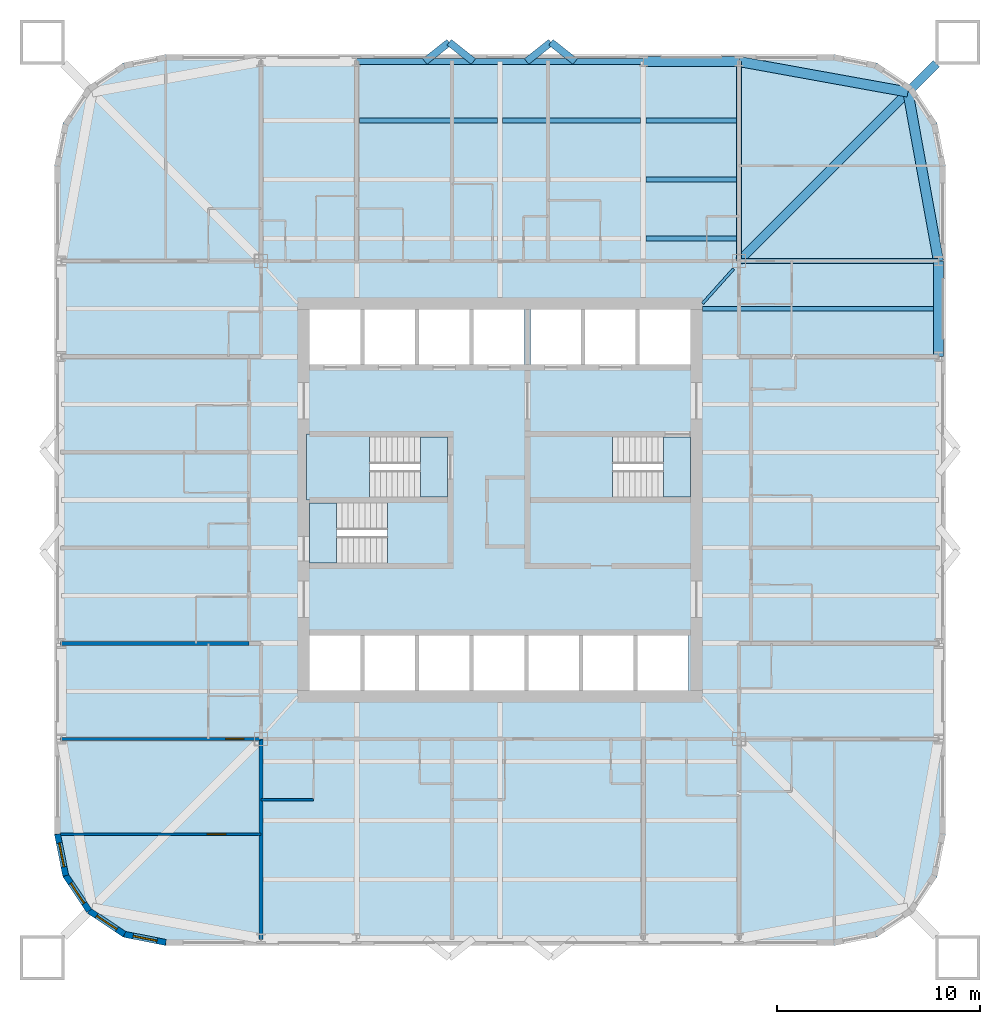
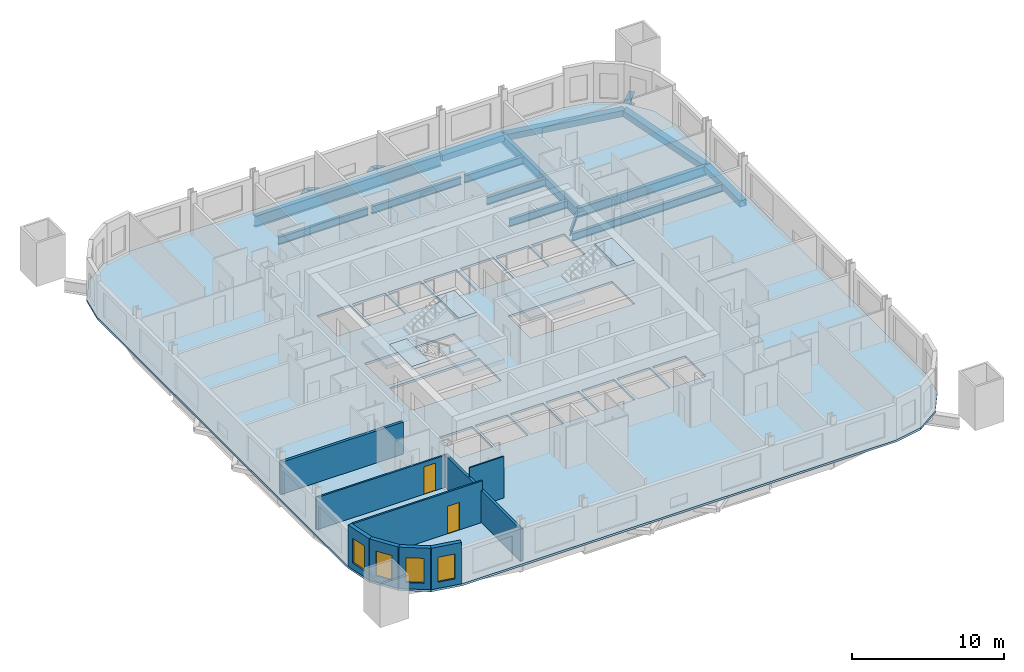
# One storey, part 2 of 10: 19 beams, 9 walls, 7 slabs, 4 windows, 2 doors, 6 openings, 3 elements without a shape of their own.
"""IFC4 building model written with IfcOpenShell, lengths in metres."""

from ifc_helpers import new_model, si_unit, direction, frame, frame_2d, origin, origin_2d, place, context, subcontext, project, spatial, polyline, rectangle, hollow_rectangle, i_section, outline, extrude, material, layer, layer_set, material_profile, profile_set, type_object, element, fill, aggregate, save


model = new_model("IFC4")

# Units and contexts
model_context = context("Model", 3, precision=1e-05, world=origin(), true_north=direction((0.0, 1.0)))
body_context = subcontext(model_context, "Body", "Model", "MODEL_VIEW")
ifc_project = project(units=[si_unit("LENGTHUNIT", "METRE"), si_unit("AREAUNIT", "SQUARE_METRE"), si_unit("VOLUMEUNIT", "CUBIC_METRE"), si_unit("PLANEANGLEUNIT", "RADIAN"), si_unit("MASSUNIT", "GRAM", prefix="KILO")], contexts=[model_context])

# Site, building, storey
site_placement = place(None, origin())
site = spatial("IfcSite", under=ifc_project, at=site_placement, CompositionType="ELEMENT")
building_placement = place(site_placement, origin())
building = spatial("IfcBuilding", under=site, at=building_placement, Name="Turquesa Mirador Hotel Tower", CompositionType="ELEMENT")
storey_placement = place(building_placement, frame((0.0, 0.0, 53.0)))
storey = spatial("IfcBuildingStorey", under=building, at=storey_placement, Name="L13", CompositionType="ELEMENT", Elevation=53.0)

# Beams
ifc_material_1 = material(Name="Steel ASTM A572 Grade 50", Category="steel")
ifc_material_profile_1 = material_profile(ifc_material_1, hollow_rectangle(XDim=0.5, YDim=0.5, WallThickness=0.01611328125, at=origin_2d()), Name="BOX500X500X16")
ifc_profile_set_1 = profile_set([ifc_material_profile_1], Name="Steel ASTM A572 Grade 50")
beam_type_1 = type_object("IfcBeamType", Name="BEAM BOX500X500X16", PredefinedType="BEAM", material=ifc_profile_set_1)
for number, where, z_axis, x_axis, name in (
    (1, (62.080078125, 66.64990234375, -0.419921875), (1.0, 0.0, 0.0), (0.0, 1.0, 0.0), "EB-L13-N-R"),
    (2, (76.64990234375, 52.080078125, -0.419921875), (0.0, 1.0, 0.0), (-1.0, 0.0, 0.0), "EB-L13-E-R"),
):
    element("IfcBeam", number, at=place(storey_placement, frame(where, z_axis=z_axis, x_axis=x_axis)), inside=storey, type_object=beam_type_1, Name=name, PredefinedType="BEAM", context=body_context, shape_type="SweptSolid", body=[
        extrude(hollow_rectangle(XDim=0.5, YDim=0.5, WallThickness=0.01611328125, at=origin_2d()), origin(), (0.0, 0.0, 1.0), 4.719970703125),
    ])
for number, where, z_axis, x_axis, name in (
    (3, (76.64990234375, 56.800048828125, -0.419921875), (-0.177932387818, 0.984042715214, 0.0), (-0.984042715214, -0.177932387818, 0.0), "KE-L13-1-0"),
    (4, (75.1416015625, 65.1416015625, -0.419921875), (-0.984042715214, 0.177932387818, 0.0), (-0.177932387818, -0.984042715214, 0.0), "KE-L13-1-1"),
):
    element("IfcBeam", number, at=place(storey_placement, frame(where, z_axis=z_axis, x_axis=x_axis)), inside=storey, type_object=beam_type_1, Name=name, PredefinedType="BEAM", context=body_context, shape_type="SweptSolid", body=[
        extrude(hollow_rectangle(XDim=0.5, YDim=0.5, WallThickness=0.01611328125, at=origin_2d()), origin(), (0.0, 0.0, 1.0), 8.476806640625),
    ])
ifc_material_2 = material(Name="Steel ASTM A992 Grade 50", Category="steel")
ifc_material_profile_2 = material_profile(ifc_material_2, i_section(OverallWidth=0.140380859375, OverallDepth=0.40380859375, WebThickness=0.007080078125, FlangeThickness=0.01123046875, at=origin_2d()), Name="W16X31")
ifc_profile_set_2 = profile_set([ifc_material_profile_2], Name="Steel ASTM A992 Grade 50")
beam_type_2 = type_object("IfcBeamType", Name="BEAM W16X31", PredefinedType="BEAM", material=ifc_profile_set_2)
beam_1_placement = place(storey_placement, frame((66.529541015625, 56.40966796875, -0.371826171875), z_axis=(-0.666745084392, -0.745285846129, 0.0), x_axis=(0.745285846129, -0.666745084392, 0.0)))
element("IfcBeam", 5, at=beam_1_placement, inside=storey, type_object=beam_type_2, Name="KT-L13-1", PredefinedType="BEAM", context=body_context, shape_type="SweptSolid", body=[
    extrude(i_section(OverallWidth=0.140380859375, OverallDepth=0.40380859375, WebThickness=0.007080078125, FlangeThickness=0.01123046875, at=origin_2d()), origin(), (0.0, 0.0, 1.0), 2.2939453125),
])
ifc_material_3 = material(Name="Steel ASTM A992 Grade 50", Category="steel")
ifc_material_profile_3 = material_profile(ifc_material_3, i_section(OverallWidth=0.228271484375, OverallDepth=0.607177734375, WebThickness=0.01123046875, FlangeThickness=0.017333984375, at=origin_2d()), Name="W24X76")
ifc_profile_set_3 = profile_set([ifc_material_profile_3], Name="Steel ASTM A992 Grade 50")
beam_type_3 = type_object("IfcBeamType", Name="BEAM W24X76", PredefinedType="BEAM", material=ifc_profile_set_3)
for number, where, z_axis, x_axis, name in (
    (6, (62.21337890625, 57.912109375, -0.4736328125), (1.0, 0.0, 0.0), (0.0, 1.0, 0.0), "IB-L13-N-1-3"),
    (7, (62.21337890625, 60.824951171875, -0.4736328125), (1.0, 0.0, 0.0), (0.0, 1.0, 0.0), "IB-L13-N-2-3"),
):
    element("IfcBeam", number, at=place(storey_placement, frame(where, z_axis=z_axis, x_axis=x_axis)), inside=storey, type_object=beam_type_3, Name=name, PredefinedType="BEAM", context=body_context, shape_type="SweptSolid", body=[
        extrude(i_section(OverallWidth=0.228271484375, OverallDepth=0.607177734375, WebThickness=0.01123046875, FlangeThickness=0.017333984375, at=origin_2d()), origin(), (0.0, 0.0, 1.0), 4.453369140625),
    ])
for number, where, z_axis, x_axis, name in (
    (8, (48.053466796875, 63.737060546875, -0.4736328125), (1.0, 0.0, 0.0), (0.0, 1.0, 0.0), "IB-L13-N-3-1"),
    (9, (55.13330078125, 63.737060546875, -0.4736328125), (1.0, 0.0, 0.0), (0.0, 1.0, 0.0), "IB-L13-N-3-2"),
):
    element("IfcBeam", number, at=place(storey_placement, frame(where, z_axis=z_axis, x_axis=x_axis)), inside=storey, type_object=beam_type_3, Name=name, PredefinedType="BEAM", context=body_context, shape_type="SweptSolid", body=[
        extrude(i_section(OverallWidth=0.228271484375, OverallDepth=0.607177734375, WebThickness=0.01123046875, FlangeThickness=0.017333984375, at=origin_2d()), origin(), (0.0, 0.0, 1.0), 6.813232421875),
    ])
beam_2_placement = place(storey_placement, frame((62.21337890625, 63.737060546875, -0.4736328125), z_axis=(1.0, 0.0, 0.0), x_axis=(0.0, 1.0, 0.0)))
element("IfcBeam", 10, at=beam_2_placement, inside=storey, type_object=beam_type_3, Name="IB-L13-N-3-3", PredefinedType="BEAM", context=body_context, shape_type="SweptSolid", body=[
    extrude(i_section(OverallWidth=0.228271484375, OverallDepth=0.607177734375, WebThickness=0.01123046875, FlangeThickness=0.017333984375, at=origin_2d()), origin(), (0.0, 0.0, 1.0), 4.453369140625),
])
beam_3_placement = place(storey_placement, frame((76.64990234375, 54.43994140625, -0.4736328125), z_axis=(-1.0, 0.0, 0.0), x_axis=(0.0, -1.0, 0.0)))
element("IfcBeam", 11, at=beam_3_placement, inside=storey, type_object=beam_type_3, Name="BM-L13-E-+9.44", PredefinedType="BEAM", context=body_context, shape_type="SweptSolid", body=[
    extrude(i_section(OverallWidth=0.228271484375, OverallDepth=0.607177734375, WebThickness=0.01123046875, FlangeThickness=0.017333984375, at=origin_2d()), origin(), (0.0, 0.0, 1.0), 11.64990234375),
])
ifc_material_4 = material(Name="Steel ASTM A992 Grade 50", Category="steel")
ifc_material_profile_4 = material_profile(ifc_material_4, i_section(OverallWidth=0.2666015625, OverallDepth=0.7568359375, WebThickness=0.013916015625, FlangeThickness=0.019287109375, at=origin_2d()), Name="W30X108")
ifc_profile_set_4 = profile_set([ifc_material_profile_4], Name="Steel ASTM A992 Grade 50")
beam_type_4 = type_object("IfcBeamType", Name="BEAM W30X108", PredefinedType="BEAM", material=ifc_profile_set_4)
for number, where, z_axis, x_axis, name in (
    (12, (66.800048828125, 66.64990234375, -0.54833984375), (0.0, -1.0, 0.0), (1.0, 0.0, 0.0), "GK-L13-N-+11.80"),
    (13, (76.64990234375, 56.800048828125, -0.54833984375), (-1.0, 0.0, 0.0), (0.0, -1.0, 0.0), "GK-L13-E-+11.80"),
):
    element("IfcBeam", number, at=place(storey_placement, frame(where, z_axis=z_axis, x_axis=x_axis)), inside=storey, type_object=beam_type_4, Name=name, PredefinedType="BEAM", context=body_context, shape_type="SweptSolid", body=[
        extrude(i_section(OverallWidth=0.2666015625, OverallDepth=0.7568359375, WebThickness=0.013916015625, FlangeThickness=0.019287109375, at=origin_2d()), origin(), (0.0, 0.0, 1.0), 9.849853515625),
    ])
ifc_material_5 = material(Name="Steel ASTM A992 Grade 50", Category="steel")
ifc_material_profile_5 = material_profile(ifc_material_5, i_section(OverallWidth=0.3046875, OverallDepth=0.911865234375, WebThickness=0.015869140625, FlangeThickness=0.02392578125, at=origin_2d()), Name="W36X150")
ifc_profile_set_5 = profile_set([ifc_material_profile_5], Name="Steel ASTM A992 Grade 50")
beam_type_5 = type_object("IfcBeamType", Name="BEAM W36X150", PredefinedType="BEAM", material=ifc_profile_set_5)
beam_4_placement = place(storey_placement, frame((47.919921875, 66.64990234375, -0.6259765625), z_axis=(1.0, 0.0, 0.0), x_axis=(0.0, 1.0, 0.0)))
element("IfcBeam", 14, at=beam_4_placement, inside=storey, type_object=beam_type_5, Name="EB-L13-N-C", PredefinedType="BEAM", context=body_context, shape_type="SweptSolid", body=[
    extrude(i_section(OverallWidth=0.3046875, OverallDepth=0.911865234375, WebThickness=0.015869140625, FlangeThickness=0.02392578125, at=origin_2d()), origin(), (0.0, 0.0, 1.0), 14.16015625),
])
ifc_material_6 = material(Name="Steel ASTM A992 Grade 50", Category="steel")
ifc_material_profile_6 = material_profile(ifc_material_6, i_section(OverallWidth=0.419189453125, OverallDepth=0.927001953125, WebThickness=0.019287109375, FlangeThickness=0.031982421875, at=origin_2d()), Name="W36X231")
ifc_profile_set_6 = profile_set([ifc_material_profile_6], Name="Steel ASTM A992 Grade 50")
beam_type_6 = type_object("IfcBeamType", Name="BEAM W36X231", PredefinedType="BEAM", material=ifc_profile_set_6)
beam_5_placement = place(storey_placement, frame((66.800048828125, 56.800048828125, -0.633544921875), z_axis=(0.707106781187, 0.707106781187, 0.0), x_axis=(-0.707106781187, 0.707106781187, 0.0)))
element("IfcBeam", 15, at=beam_5_placement, inside=storey, type_object=beam_type_6, Name="KD-L13-1", PredefinedType="BEAM", context=body_context, shape_type="SweptSolid", body=[
    extrude(i_section(OverallWidth=0.419189453125, OverallDepth=0.927001953125, WebThickness=0.019287109375, FlangeThickness=0.031982421875, at=origin_2d()), origin(), (0.0, 0.0, 1.0), 13.78857421875),
])
ifc_material_7 = material(Name="Steel ASTM A500 Grade C", Category="steel")
ifc_material_profile_7 = material_profile(ifc_material_7, hollow_rectangle(XDim=0.355712890625, YDim=0.355712890625, WallThickness=0.0146484375, at=origin_2d()), Name="HSS14X14X5/8")
ifc_profile_set_7 = profile_set([ifc_material_profile_7], Name="Steel ASTM A500 Grade C")
beam_type_7 = type_object("IfcBeamType", Name="BRACE STRUT HSS14X14X5/8", PredefinedType="BEAM", material=ifc_profile_set_7)
beam_6_placement = place(storey_placement, frame((52.48876953125, 67.60009765625, -0.347900390625), z_axis=(-0.783971428146, -0.620796907089, 0.0), x_axis=(0.620796907089, -0.783971428146, 0.0)))
element("IfcBeam", 16, at=beam_6_placement, inside=storey, type_object=beam_type_7, Name="Brace strut", PredefinedType="BEAM", context=body_context, shape_type="SweptSolid", body=[
    extrude(hollow_rectangle(XDim=0.355712890625, YDim=0.355712890625, WallThickness=0.0146484375, at=origin_2d()), origin(), (0.0, 0.0, 1.0), 1.530517578125),
])
for number, where, z_axis, x_axis, name in (
    (17, (52.48876953125, 67.60009765625, -0.347900390625), (0.784032888399, -0.620719284306, 0.0), (0.620719284306, 0.784032888399, 0.0), "Brace strut"),
    (18, (57.51123046875, 67.60009765625, -0.347900390625), (-0.784032888399, -0.620719284306, 0.0), (0.620719284306, -0.784032888399, 0.0), "Brace strut"),
):
    element("IfcBeam", number, at=place(storey_placement, frame(where, z_axis=z_axis, x_axis=x_axis)), inside=storey, type_object=beam_type_7, Name=name, PredefinedType="BEAM", context=body_context, shape_type="SweptSolid", body=[
        extrude(hollow_rectangle(XDim=0.355712890625, YDim=0.355712890625, WallThickness=0.0146484375, at=origin_2d()), origin(), (0.0, 0.0, 1.0), 1.53076171875),
    ])
beam_7_placement = place(storey_placement, frame((57.51123046875, 67.60009765625, -0.347900390625), z_axis=(0.783971428146, -0.620796907089, 0.0), x_axis=(0.620796907089, 0.783971428146, 0.0)))
element("IfcBeam", 19, at=beam_7_placement, inside=storey, type_object=beam_type_7, Name="Brace strut", PredefinedType="BEAM", context=body_context, shape_type="SweptSolid", body=[
    extrude(hollow_rectangle(XDim=0.355712890625, YDim=0.355712890625, WallThickness=0.0146484375, at=origin_2d()), origin(), (0.0, 0.0, 1.0), 1.530517578125),
])

# Slab
ifc_material_8 = material(Name="Concrete C28/35", Category="concrete")
ifc_layer_1 = layer(ifc_material_8, 0.169921875)
ifc_layer_set_1 = layer_set([ifc_layer_1], Name="COMPOSITE FLOOR SLAB 170")
slab_type_1 = type_object("IfcSlabType", Name="COMPOSITE FLOOR SLAB 170", PredefinedType="FLOOR", material=ifc_layer_set_1)
slab_1_placement = place(storey_placement, frame((0.0, 0.0, -0.169921875)))
element("IfcSlab", 20, at=slab_1_placement, inside=storey, type_object=slab_type_1, Name="Floor slab L13", PredefinedType="FLOOR", context=body_context, shape_type="SweptSolid", body=[
    extrude(outline(polyline([(71.5, 23.0), (73.604736328125, 23.418701171875), (75.38916015625, 24.61083984375), (76.581298828125, 26.395263671875), (77.0, 28.5), (77.0, 61.5), (76.581298828125, 63.604736328125), (75.38916015625, 65.38916015625), (73.604736328125, 66.581298828125), (71.5, 67.0), (38.5, 67.0), (36.395263671875, 66.581298828125), (34.61083984375, 65.38916015625), (33.418701171875, 63.604736328125), (33.0, 61.5), (33.0, 28.5), (33.418701171875, 26.395263671875), (34.61083984375, 24.61083984375), (36.395263671875, 23.418701171875), (38.5, 23.0), (71.5, 23.0)]), holes=[polyline([(45.60009765625, 51.699951171875), (48.10009765625, 51.699951171875), (48.10009765625, 54.39990234375), (45.60009765625, 54.39990234375), (45.60009765625, 51.699951171875)]), polyline([(48.300048828125, 51.699951171875), (50.800048828125, 51.699951171875), (50.800048828125, 54.39990234375), (48.300048828125, 54.39990234375), (48.300048828125, 51.699951171875)]), polyline([(51.0, 51.699951171875), (53.5, 51.699951171875), (53.5, 54.39990234375), (51.0, 54.39990234375), (51.0, 51.699951171875)]), polyline([(53.699951171875, 51.699951171875), (56.199951171875, 51.699951171875), (56.199951171875, 54.39990234375), (53.699951171875, 54.39990234375), (53.699951171875, 51.699951171875)]), polyline([(56.5, 51.699951171875), (59.0, 51.699951171875), (59.0, 54.39990234375), (56.5, 54.39990234375), (56.5, 51.699951171875)]), polyline([(59.199951171875, 51.699951171875), (61.699951171875, 51.699951171875), (61.699951171875, 54.39990234375), (59.199951171875, 54.39990234375), (59.199951171875, 51.699951171875)]), polyline([(45.60009765625, 35.60009765625), (48.10009765625, 35.60009765625), (48.10009765625, 38.300048828125), (45.60009765625, 38.300048828125), (45.60009765625, 35.60009765625)]), polyline([(48.300048828125, 35.60009765625), (50.800048828125, 35.60009765625), (50.800048828125, 38.300048828125), (48.300048828125, 38.300048828125), (48.300048828125, 35.60009765625)]), polyline([(51.0, 35.60009765625), (53.5, 35.60009765625), (53.5, 38.300048828125), (51.0, 38.300048828125), (51.0, 35.60009765625)]), polyline([(53.699951171875, 35.60009765625), (56.199951171875, 35.60009765625), (56.199951171875, 38.300048828125), (53.699951171875, 38.300048828125), (53.699951171875, 35.60009765625)]), polyline([(56.39990234375, 35.60009765625), (58.89990234375, 35.60009765625), (58.89990234375, 38.300048828125), (56.39990234375, 38.300048828125), (56.39990234375, 35.60009765625)]), polyline([(59.10009765625, 35.60009765625), (61.60009765625, 35.60009765625), (61.60009765625, 38.300048828125), (59.10009765625, 38.300048828125), (59.10009765625, 35.60009765625)]), polyline([(61.800048828125, 35.60009765625), (64.300048828125, 35.60009765625), (64.300048828125, 38.300048828125), (61.800048828125, 38.300048828125), (61.800048828125, 35.60009765625)]), polyline([(45.60009765625, 45.14990234375), (52.39990234375, 45.14990234375), (52.39990234375, 48.10009765625), (45.60009765625, 48.10009765625), (45.60009765625, 45.14990234375)]), polyline([(45.60009765625, 41.89990234375), (52.39990234375, 41.89990234375), (52.39990234375, 44.85009765625), (45.60009765625, 44.85009765625), (45.60009765625, 41.89990234375)]), polyline([(56.5, 45.14990234375), (64.39990234375, 45.14990234375), (64.39990234375, 48.10009765625), (56.5, 48.10009765625), (56.5, 45.14990234375)]), polyline([(61.89990234375, 51.699951171875), (64.39990234375, 51.699951171875), (64.39990234375, 54.39990234375), (61.89990234375, 54.39990234375), (61.89990234375, 51.699951171875)])]), origin(), (0.0, 0.0, 1.0), 0.169921875),
])

# Stair, slabs
ifc_material_9 = material(Name="Concrete C35/45", Category="concrete")
stair_type = type_object("IfcStairType", Name="ESCAPE STAIR CORE", PredefinedType="HALF_TURN_STAIR", material=ifc_material_9)
stair_1_placement = place(storey_placement, origin())
stair_1 = element("IfcStair", 21, at=stair_1_placement, inside=storey, type_object=stair_type, Name="Stair ST1 L13 to L14", PredefinedType="HALF_TURN_STAIR")
ifc_material_10 = material(Name="Concrete C35/45", Category="concrete")
ifc_layer_2 = layer(ifc_material_10, 0.300048828125)
ifc_layer_set_2 = layer_set([ifc_layer_2], Name="STAIR LANDING 300")
slab_type_2 = type_object("IfcSlabType", Name="STAIR LANDING 300", PredefinedType="LANDING", material=ifc_layer_set_2)
slab_2_placement = place(storey_placement, frame((0.0, 0.0, 1.449951171875)))
slab_2 = element("IfcSlab", 22, at=slab_2_placement, type_object=slab_type_2, Name="ST1 landing 1", PredefinedType="LANDING", context=body_context, shape_type="SweptSolid", body=[
    extrude(outline(polyline([(45.449951171875, 45.0), (48.550048828125, 45.0), (48.550048828125, 48.25), (45.449951171875, 48.25), (45.449951171875, 45.0)])), origin(), (0.0, 0.0, 1.0), 0.300048828125),
])
slab_3_placement = place(storey_placement, frame((0.0, 0.0, 3.199951171875)))
slab_3 = element("IfcSlab", 23, at=slab_3_placement, type_object=slab_type_2, Name="ST1 landing 2", PredefinedType="LANDING", context=body_context, shape_type="SweptSolid", body=[
    extrude(outline(polyline([(51.070068359375, 45.14990234375), (52.39990234375, 45.14990234375), (52.39990234375, 48.10009765625), (51.070068359375, 48.10009765625), (51.070068359375, 45.14990234375)])), origin(), (0.0, 0.0, 1.0), 0.300048828125),
])
aggregate(stair_1, [slab_2, slab_3])

stair_2_placement = place(storey_placement, origin())
stair_2 = element("IfcStair", 24, at=stair_2_placement, inside=storey, type_object=stair_type, Name="Stair ST2 L13 to L14", PredefinedType="HALF_TURN_STAIR")
slab_4_placement = place(storey_placement, frame((0.0, 0.0, 1.449951171875)))
slab_4 = element("IfcSlab", 25, at=slab_4_placement, type_object=slab_type_2, Name="ST2 landing 1", PredefinedType="LANDING", context=body_context, shape_type="SweptSolid", body=[
    extrude(outline(polyline([(52.550048828125, 45.0), (49.449951171875, 45.0), (49.449951171875, 41.75), (52.550048828125, 41.75), (52.550048828125, 45.0)])), origin(), (0.0, 0.0, 1.0), 0.300048828125),
])
slab_5_placement = place(storey_placement, frame((0.0, 0.0, 3.199951171875)))
slab_5 = element("IfcSlab", 26, at=slab_5_placement, type_object=slab_type_2, Name="ST2 landing 2", PredefinedType="LANDING", context=body_context, shape_type="SweptSolid", body=[
    extrude(outline(polyline([(46.929931640625, 44.85009765625), (45.60009765625, 44.85009765625), (45.60009765625, 41.89990234375), (46.929931640625, 41.89990234375), (46.929931640625, 44.85009765625)])), origin(), (0.0, 0.0, 1.0), 0.300048828125),
])
aggregate(stair_2, [slab_4, slab_5])

stair_3_placement = place(storey_placement, origin())
stair_3 = element("IfcStair", 27, at=stair_3_placement, inside=storey, type_object=stair_type, Name="Stair ST3 L13 to L14", PredefinedType="HALF_TURN_STAIR")
slab_6_placement = place(storey_placement, frame((0.0, 0.0, 1.449951171875)))
slab_6 = element("IfcSlab", 28, at=slab_6_placement, type_object=slab_type_2, Name="ST3 landing 1", PredefinedType="LANDING", context=body_context, shape_type="SweptSolid", body=[
    extrude(outline(polyline([(56.35009765625, 45.0), (60.550048828125, 45.0), (60.550048828125, 48.25), (56.35009765625, 48.25), (56.35009765625, 45.0)])), origin(), (0.0, 0.0, 1.0), 0.300048828125),
])
slab_7_placement = place(storey_placement, frame((0.0, 0.0, 3.199951171875)))
slab_7 = element("IfcSlab", 29, at=slab_7_placement, type_object=slab_type_2, Name="ST3 landing 2", PredefinedType="LANDING", context=body_context, shape_type="SweptSolid", body=[
    extrude(outline(polyline([(63.070068359375, 45.14990234375), (64.39990234375, 45.14990234375), (64.39990234375, 48.10009765625), (63.070068359375, 48.10009765625), (63.070068359375, 45.14990234375)])), origin(), (0.0, 0.0, 1.0), 0.300048828125),
])
aggregate(stair_3, [slab_6, slab_7])

# Wall
ifc_material_11 = material(Name="Gypsum board on steel studs", Category="steel")
ifc_layer_3 = layer(ifc_material_11, 0.10009765625)
ifc_layer_set_3 = layer_set([ifc_layer_3], Name="BATHROOM WALL 100")
wall_type_1 = type_object("IfcWallType", Name="BATHROOM WALL 100", PredefinedType="PARTITIONING", material=ifc_layer_set_3)
wall_1_placement = place(storey_placement, frame((43.199951171875, 30.199951171875, 0.0), z_axis=(0.0, 0.0, 1.0), x_axis=(1.0, 0.0, 0.0)))
element("IfcWall", 30, at=wall_1_placement, inside=storey, type_object=wall_type_1, Name="Partition L13 010", PredefinedType="PARTITIONING", context=body_context, shape_type="SweptSolid", body=[
    extrude(rectangle(XDim=2.60009765625, YDim=0.10009765625, at=frame_2d((1.300048828125, 0.0))), origin(), (0.0, 0.0, 1.0), 3.330078125),
])

# Wall, opening, window
ifc_material_12 = material(Name="Limestone cladding on concrete block", Category="masonry")
ifc_layer_4 = layer(ifc_material_12, 0.300048828125)
ifc_layer_set_4 = layer_set([ifc_layer_4], Name="FACADE WALL 300 STONE SCREEN")
wall_type_2 = type_object("IfcWallType", Name="FACADE WALL 300 STONE SCREEN", PredefinedType="SOLIDWALL", material=ifc_layer_set_4)
wall_2_placement = place(storey_placement, frame((33.14990234375, 28.5, 0.0), z_axis=(0.0, 0.0, 1.0), x_axis=(0.195081421501, -0.980787050784, 0.0)))
wall_2 = element("IfcWall", 31, at=wall_2_placement, inside=storey, type_object=wall_type_2, Name="Facade wall L13 15", PredefinedType="SOLIDWALL", context=body_context, shape_type="SweptSolid", body=[
    extrude(rectangle(XDim=2.08740234375, YDim=0.300048828125, at=frame_2d((1.043701171875, 0.0))), origin(), (0.0, 0.0, 1.0), 3.330078125),
])
opening_1_placement = place(wall_2_placement, frame((0.443603515625, 0.0, 0.5)))
opening_1 = element("IfcOpeningElement", 32, at=opening_1_placement, cuts=wall_2, Name="Opening WN4", PredefinedType="OPENING", context=body_context, shape_type="SweptSolid", body=[
    extrude(rectangle(XDim=1.199951171875, YDim=2.0, at=frame_2d((0.60009765625, 1.0))), frame((0.0, 0.159912109375, 0.0), z_axis=(0.0, -1.0, 0.0), x_axis=(1.0, 0.0, 0.0)), (0.0, 0.0, 1.0), 0.320068359375),
])
ifc_material_13 = material(Name="Ceramic-fritted laminated glass", Category="glass")
window_type = type_object("IfcWindowType", Name="FRITTED CORNER WINDOW 1200X2000", PartitioningType="DOUBLE_PANEL_HORIZONTAL", PredefinedType="WINDOW", material=ifc_material_13)
window_1_placement = place(opening_1_placement, origin())
window_1 = element("IfcWindow", 33, at=window_1_placement, inside=storey, type_object=window_type, Name="Window L13", OverallHeight=2.0, OverallWidth=1.199951171875, PartitioningType="SINGLE_PANEL", PredefinedType="WINDOW", context=body_context, shape_type="SweptSolid", body=[
    extrude(rectangle(XDim=1.199951171875, YDim=2.0, at=frame_2d((0.60009765625, 1.0))), frame((0.0, 0.030029296875, 0.0), z_axis=(0.0, -1.0, 0.0), x_axis=(1.0, 0.0, 0.0)), (0.0, 0.0, 1.0), 0.06005859375),
])
fill(opening_1, window_1)

wall_3_placement = place(storey_placement, frame((33.55712890625, 26.45263671875, 0.0), z_axis=(0.0, 0.0, 1.0), x_axis=(0.555644460423, -0.831420010345, 0.0)))
wall_3 = element("IfcWall", 34, at=wall_3_placement, inside=storey, type_object=wall_type_2, Name="Facade wall L13 16", PredefinedType="SOLIDWALL", context=body_context, shape_type="SweptSolid", body=[
    extrude(rectangle(XDim=2.08740234375, YDim=0.300048828125, at=frame_2d((1.043701171875, 0.0))), origin(), (0.0, 0.0, 1.0), 3.330078125),
])
opening_2_placement = place(wall_3_placement, frame((0.443603515625, 0.0, 0.5)))
opening_2 = element("IfcOpeningElement", 35, at=opening_2_placement, cuts=wall_3, Name="Opening WN4", PredefinedType="OPENING", context=body_context, shape_type="SweptSolid", body=[
    extrude(rectangle(XDim=1.199951171875, YDim=2.0, at=frame_2d((0.60009765625, 1.0))), frame((0.0, 0.159912109375, 0.0), z_axis=(0.0, -1.0, 0.0), x_axis=(1.0, 0.0, 0.0)), (0.0, 0.0, 1.0), 0.320068359375),
])
window_2_placement = place(opening_2_placement, origin())
window_2 = element("IfcWindow", 36, at=window_2_placement, inside=storey, type_object=window_type, Name="Window L13", OverallHeight=2.0, OverallWidth=1.199951171875, PartitioningType="SINGLE_PANEL", PredefinedType="WINDOW", context=body_context, shape_type="SweptSolid", body=[
    extrude(rectangle(XDim=1.199951171875, YDim=2.0, at=frame_2d((0.60009765625, 1.0))), frame((0.0, 0.030029296875, 0.0), z_axis=(0.0, -1.0, 0.0), x_axis=(1.0, 0.0, 0.0)), (0.0, 0.0, 1.0), 0.06005859375),
])
fill(opening_2, window_2)

wall_4_placement = place(storey_placement, frame((34.717041015625, 24.717041015625, 0.0), z_axis=(0.0, 0.0, 1.0), x_axis=(0.831420010345, -0.555644460423, 0.0)))
wall_4 = element("IfcWall", 37, at=wall_4_placement, inside=storey, type_object=wall_type_2, Name="Facade wall L13 17", PredefinedType="SOLIDWALL", context=body_context, shape_type="SweptSolid", body=[
    extrude(rectangle(XDim=2.08740234375, YDim=0.300048828125, at=frame_2d((1.043701171875, 0.0))), origin(), (0.0, 0.0, 1.0), 3.330078125),
])
opening_3_placement = place(wall_4_placement, frame((0.443603515625, 0.0, 0.5)))
opening_3 = element("IfcOpeningElement", 38, at=opening_3_placement, cuts=wall_4, Name="Opening WN4", PredefinedType="OPENING", context=body_context, shape_type="SweptSolid", body=[
    extrude(rectangle(XDim=1.199951171875, YDim=2.0, at=frame_2d((0.60009765625, 1.0))), frame((0.0, 0.159912109375, 0.0), z_axis=(0.0, -1.0, 0.0), x_axis=(1.0, 0.0, 0.0)), (0.0, 0.0, 1.0), 0.320068359375),
])
window_3_placement = place(opening_3_placement, origin())
window_3 = element("IfcWindow", 39, at=window_3_placement, inside=storey, type_object=window_type, Name="Window L13", OverallHeight=2.0, OverallWidth=1.199951171875, PartitioningType="SINGLE_PANEL", PredefinedType="WINDOW", context=body_context, shape_type="SweptSolid", body=[
    extrude(rectangle(XDim=1.199951171875, YDim=2.0, at=frame_2d((0.60009765625, 1.0))), frame((0.0, 0.030029296875, 0.0), z_axis=(0.0, -1.0, 0.0), x_axis=(1.0, 0.0, 0.0)), (0.0, 0.0, 1.0), 0.06005859375),
])
fill(opening_3, window_3)

wall_5_placement = place(storey_placement, frame((36.45263671875, 23.55712890625, 0.0), z_axis=(0.0, 0.0, 1.0), x_axis=(0.980787050784, -0.195081421501, 0.0)))
wall_5 = element("IfcWall", 40, at=wall_5_placement, inside=storey, type_object=wall_type_2, Name="Facade wall L13 18", PredefinedType="SOLIDWALL", context=body_context, shape_type="SweptSolid", body=[
    extrude(rectangle(XDim=2.08740234375, YDim=0.300048828125, at=frame_2d((1.043701171875, 0.0))), origin(), (0.0, 0.0, 1.0), 3.330078125),
])
opening_4_placement = place(wall_5_placement, frame((0.443603515625, 0.0, 0.5)))
opening_4 = element("IfcOpeningElement", 41, at=opening_4_placement, cuts=wall_5, Name="Opening WN4", PredefinedType="OPENING", context=body_context, shape_type="SweptSolid", body=[
    extrude(rectangle(XDim=1.199951171875, YDim=2.0, at=frame_2d((0.60009765625, 1.0))), frame((0.0, 0.159912109375, 0.0), z_axis=(0.0, -1.0, 0.0), x_axis=(1.0, 0.0, 0.0)), (0.0, 0.0, 1.0), 0.320068359375),
])
window_4_placement = place(opening_4_placement, origin())
window_4 = element("IfcWindow", 42, at=window_4_placement, inside=storey, type_object=window_type, Name="Window L13", OverallHeight=2.0, OverallWidth=1.199951171875, PartitioningType="SINGLE_PANEL", PredefinedType="WINDOW", context=body_context, shape_type="SweptSolid", body=[
    extrude(rectangle(XDim=1.199951171875, YDim=2.0, at=frame_2d((0.60009765625, 1.0))), frame((0.0, 0.030029296875, 0.0), z_axis=(0.0, -1.0, 0.0), x_axis=(1.0, 0.0, 0.0)), (0.0, 0.0, 1.0), 0.06005859375),
])
fill(opening_4, window_4)

# Walls
ifc_material_14 = material(Name="Fire-rated gypsum board on steel studs", Category="steel")
ifc_layer_5 = layer(ifc_material_14, 0.199951171875)
ifc_layer_set_5 = layer_set([ifc_layer_5], Name="PARTY WALL 200")
wall_type_3 = type_object("IfcWallType", Name="PARTY WALL 200", PredefinedType="PARTITIONING", material=ifc_layer_set_5)
wall_6_placement = place(storey_placement, frame((33.300048828125, 37.919921875, 0.0), z_axis=(0.0, 0.0, 1.0), x_axis=(1.0, 0.0, 0.0)))
element("IfcWall", 43, at=wall_6_placement, inside=storey, type_object=wall_type_3, Name="Partition L13 019", PredefinedType="PARTITIONING", context=body_context, shape_type="SweptSolid", body=[
    extrude(rectangle(XDim=9.300048828125, YDim=0.199951171875, at=frame_2d((4.64990234375, 0.0))), origin(), (0.0, 0.0, 1.0), 2.572998046875),
])
wall_7_placement = place(storey_placement, frame((43.199951171875, 23.300048828125, 0.0), z_axis=(0.0, 0.0, 1.0), x_axis=(0.0, 1.0, 0.0)))
element("IfcWall", 44, at=wall_7_placement, inside=storey, type_object=wall_type_3, Name="Partition L13 052", PredefinedType="PARTITIONING", context=body_context, shape_type="SweptSolid", body=[
    extrude(rectangle(XDim=9.89990234375, YDim=0.199951171875, at=frame_2d((4.949951171875, 0.0))), origin(), (0.0, 0.0, 1.0), 2.572998046875),
])

# Wall, opening, door
ifc_material_15 = material(Name="Acoustic gypsum board on steel studs", Category="steel")
ifc_layer_6 = layer(ifc_material_15, 0.125)
ifc_layer_set_6 = layer_set([ifc_layer_6], Name="SUITE PARTITION 125")
wall_type_4 = type_object("IfcWallType", Name="SUITE PARTITION 125", PredefinedType="PARTITIONING", material=ifc_layer_set_6)
wall_8_placement = place(storey_placement, frame((33.300048828125, 33.199951171875, 0.0), z_axis=(0.0, 0.0, 1.0), x_axis=(1.0, 0.0, 0.0)))
wall_8 = element("IfcWall", 45, at=wall_8_placement, inside=storey, type_object=wall_type_4, Name="Partition L13 004", PredefinedType="PARTITIONING", context=body_context, shape_type="SweptSolid", body=[
    extrude(rectangle(XDim=9.89990234375, YDim=0.125, at=frame_2d((4.949951171875, 0.0))), origin(), (0.0, 0.0, 1.0), 2.572998046875),
])
opening_5_placement = place(wall_8_placement, frame((8.14990234375, 0.0, 0.0)))
opening_5 = element("IfcOpeningElement", 46, at=opening_5_placement, cuts=wall_8, Name="Opening D17", PredefinedType="OPENING", context=body_context, shape_type="SweptSolid", body=[
    extrude(rectangle(XDim=0.89990234375, YDim=2.199951171875, at=frame_2d((0.449951171875, 1.10009765625))), frame((0.0, 0.072509765625, 0.0), z_axis=(0.0, -1.0, 0.0), x_axis=(1.0, 0.0, 0.0)), (0.0, 0.0, 1.0), 0.14501953125),
])
ifc_material_16 = material(Name="Timber veneered door", Category="wood")
door_type = type_object("IfcDoorType", Name="DOOR 900X2200 SUITE INTERNAL", OperationType="SINGLE_SWING_LEFT", PredefinedType="DOOR", material=ifc_material_16)
door_1_placement = place(opening_5_placement, origin())
door_1 = element("IfcDoor", 47, at=door_1_placement, inside=storey, type_object=door_type, Name="Door 1315", OperationType="SINGLE_SWING_LEFT", OverallHeight=2.199951171875, OverallWidth=0.89990234375, PredefinedType="DOOR", context=body_context, shape_type="SweptSolid", body=[
    extrude(rectangle(XDim=0.89990234375, YDim=2.199951171875, at=frame_2d((0.449951171875, 1.10009765625))), frame((0.0, 0.02490234375, 0.0), z_axis=(0.0, -1.0, 0.0), x_axis=(1.0, 0.0, 0.0)), (0.0, 0.0, 1.0), 0.050048828125),
])
fill(opening_5, door_1)

wall_9_placement = place(storey_placement, frame((33.305908203125, 28.5, 0.0), z_axis=(0.0, 0.0, 1.0), x_axis=(1.0, 0.0, 0.0)))
wall_9 = element("IfcWall", 48, at=wall_9_placement, inside=storey, type_object=wall_type_4, Name="Partition L13 012", PredefinedType="PARTITIONING", context=body_context, shape_type="SweptSolid", body=[
    extrude(rectangle(XDim=9.89404296875, YDim=0.125, at=frame_2d((4.947021484375, 0.0))), origin(), (0.0, 0.0, 1.0), 3.330078125),
])
opening_6_placement = place(wall_9_placement, frame((7.244140625, 0.0, 0.0)))
opening_6 = element("IfcOpeningElement", 49, at=opening_6_placement, cuts=wall_9, Name="Opening D17", PredefinedType="OPENING", context=body_context, shape_type="SweptSolid", body=[
    extrude(rectangle(XDim=0.89990234375, YDim=2.199951171875, at=frame_2d((0.449951171875, 1.10009765625))), frame((0.0, 0.072509765625, 0.0), z_axis=(0.0, -1.0, 0.0), x_axis=(1.0, 0.0, 0.0)), (0.0, 0.0, 1.0), 0.14501953125),
])
door_2_placement = place(opening_6_placement, origin())
door_2 = element("IfcDoor", 50, at=door_2_placement, inside=storey, type_object=door_type, Name="Door 1315M", OperationType="SINGLE_SWING_LEFT", OverallHeight=2.199951171875, OverallWidth=0.89990234375, PredefinedType="DOOR", context=body_context, shape_type="SweptSolid", body=[
    extrude(rectangle(XDim=0.89990234375, YDim=2.199951171875, at=frame_2d((0.449951171875, 1.10009765625))), frame((0.0, 0.02490234375, 0.0), z_axis=(0.0, -1.0, 0.0), x_axis=(1.0, 0.0, 0.0)), (0.0, 0.0, 1.0), 0.050048828125),
])
fill(opening_6, door_2)

save(model, "model.ifc")
